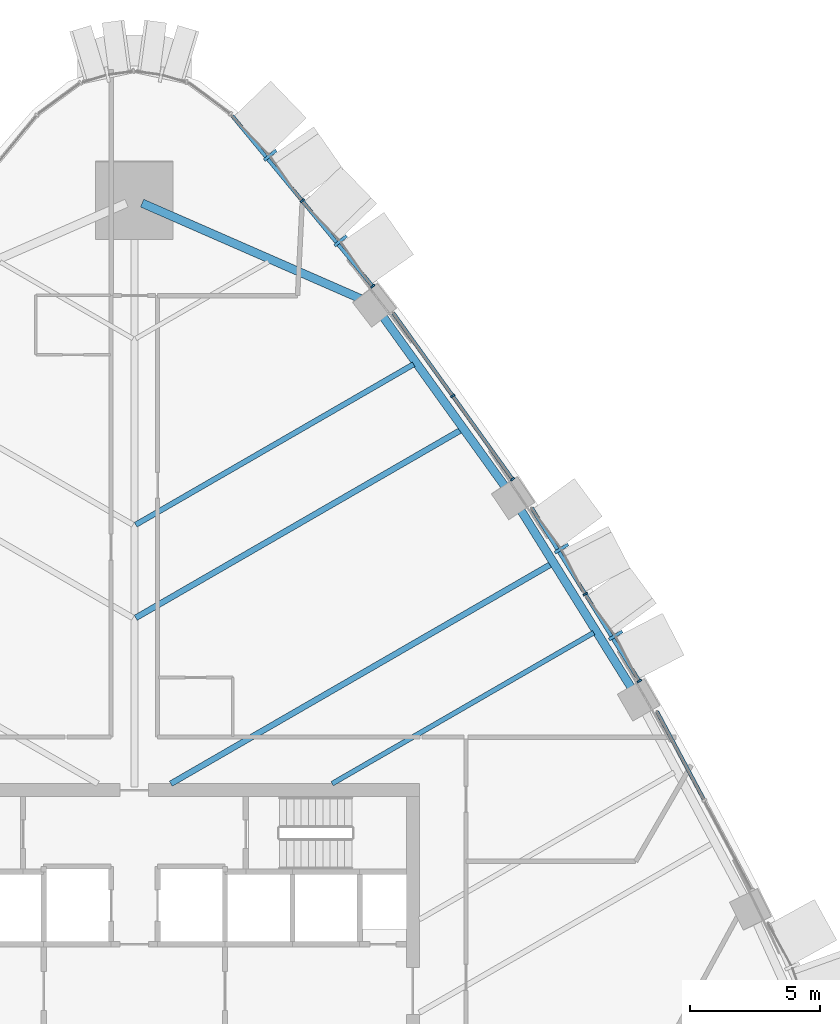
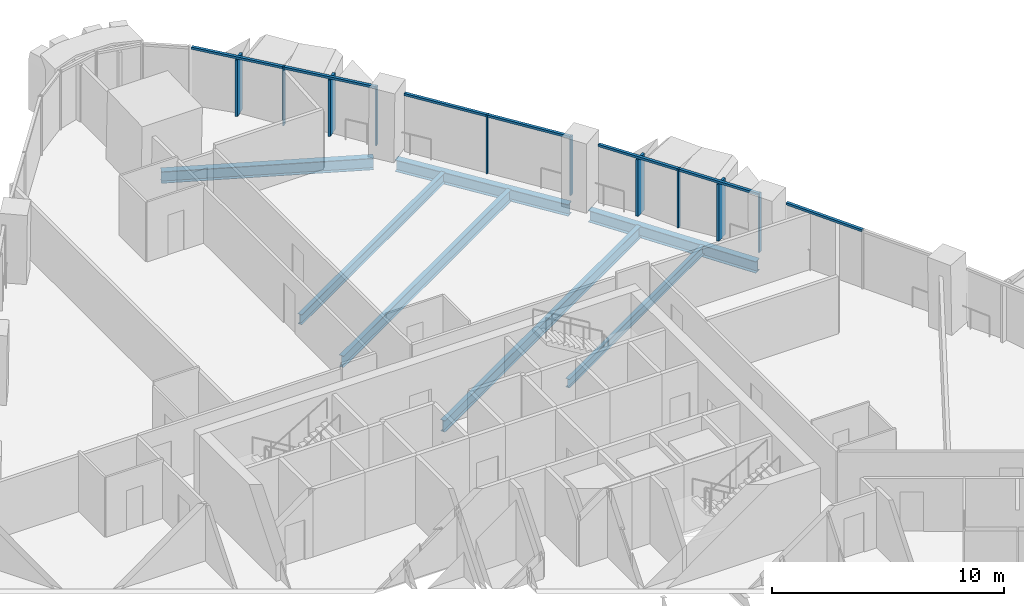
# One storey, part 7 of 22: 17 members, 7 beams, 4 elements without a shape of their own.
"""IFC4 building model written with IfcOpenShell, lengths in metres."""

import ifcopenshell
import ifcopenshell.guid

model = None  # the IFC model being written
_history = None  # IfcOwnerHistory: only IFC2X3 demands one
_inside = {}  # id of a spatial element -> (the spatial element, [elements in it])
_under = {}  # id of a project, library or spatial element -> (it, [spatial elements below it])
_declared = {}  # id of a project -> (the project, [libraries it declares])
_typed = {}  # id of a type object -> (the type object, [elements of that type])
_made_of = {}  # id of a material, layer set ... -> (it, [elements and type objects made of it])


def new_model(schema):
    """Start an empty IFC model of exactly this schema.

    Asked for "IFC4X3", IfcOpenShell would pick the latest addendum, in which some entities
    have other attributes; the version numbers below select the first issue.
    IFC2X3 requires an IfcOwnerHistory on every rooted entity: one is made here for all.
    """
    global model, _history
    if schema == "IFC4X3":
        model = ifcopenshell.file(schema_version=(4, 3, 0, 0))
    else:
        model = ifcopenshell.file(schema=schema)
    _inside.clear()
    _under.clear()
    _declared.clear()
    _typed.clear()
    _made_of.clear()
    _history = None
    if model.schema == "IFC2X3":
        org = make("IfcOrganization", Name="unknown")
        user = make(
            "IfcPersonAndOrganization",
            ThePerson=make("IfcPerson", FamilyName="unknown"),
            TheOrganization=org,
        )
        app = make(
            "IfcApplication",
            ApplicationDeveloper=org,
            Version="unknown",
            ApplicationFullName="unknown",
            ApplicationIdentifier="unknown",
        )
        _history = make(
            "IfcOwnerHistory",
            OwningUser=user,
            OwningApplication=app,
            ChangeAction="ADDED",
            CreationDate=0,
        )
    return model


def make(cls, **values):
    """One entity of the class cls with the attributes given. An attribute that is None is left unset."""
    return model.create_entity(
        cls, **{name: value for name, value in values.items() if value is not None}
    )


def rooted(cls, **values):
    """An entity with a GlobalId (a new one), such as an element, a storey or a relation."""
    return make(cls, GlobalId=ifcopenshell.guid.new(), OwnerHistory=_history, **values)


def si_unit(unit_type, name, prefix=None):
    """IfcSIUnit, for example si_unit("LENGTHUNIT", "METRE", prefix="MILLI")."""
    return make("IfcSIUnit", UnitType=unit_type, Prefix=prefix, Name=name)


def assignment(units):
    """IfcUnitAssignment: the units of a project."""
    return None if units is None else make("IfcUnitAssignment", Units=units)


def point(xyz):
    """IfcCartesianPoint."""
    return None if xyz is None else make("IfcCartesianPoint", Coordinates=xyz)


def direction(xyz):
    """IfcDirection."""
    return None if xyz is None else make("IfcDirection", DirectionRatios=xyz)


def frame(location, z_axis=None, x_axis=None):
    """IfcAxis2Placement3D, a coordinate frame: its origin and axes. An axis left out is left unset."""
    return make(
        "IfcAxis2Placement3D",
        Location=point(location),
        Axis=direction(z_axis),
        RefDirection=direction(x_axis),
    )


def frame_2d(location, x_axis=None):
    """IfcAxis2Placement2D, a coordinate frame in the plane: its origin and x axis."""
    return make(
        "IfcAxis2Placement2D", Location=point(location), RefDirection=direction(x_axis)
    )


def origin():
    """The frame at (0, 0, 0) with its axes left unset."""
    return frame((0.0, 0.0, 0.0))


def origin_2d():
    """The frame at (0, 0) in the plane with its x axis left unset."""
    return frame_2d((0.0, 0.0))


def place(relative_to, where):
    """IfcLocalPlacement: puts the frame where relative to a parent placement (None: the world)."""
    return make(
        "IfcLocalPlacement", PlacementRelTo=relative_to, RelativePlacement=where
    )


def context(
    kind, dimensions, precision=None, world=None, true_north=None, identifier=None
):
    """IfcGeometricRepresentationContext, for example the 3D "Model" context."""
    return make(
        "IfcGeometricRepresentationContext",
        ContextIdentifier=identifier,
        ContextType=kind,
        CoordinateSpaceDimension=dimensions,
        Precision=precision,
        WorldCoordinateSystem=world,
        TrueNorth=true_north,
    )


def subcontext(parent, identifier, kind, view, scale=None):
    """IfcGeometricRepresentationSubContext, for example "Body" below "Model"."""
    return make(
        "IfcGeometricRepresentationSubContext",
        ContextIdentifier=identifier,
        ContextType=kind,
        ParentContext=parent,
        TargetScale=scale,
        TargetView=view,
    )


def project(units=None, contexts=None):
    """IfcProject with its units and contexts."""
    return rooted(
        "IfcProject",
        Name="project",
        RepresentationContexts=contexts,
        UnitsInContext=assignment(units),
    )


def spatial(cls, under=None, at=None, **own):
    """A site, building, storey or space (cls), placed at a placement, below another one or the project."""
    s = rooted(cls, ObjectPlacement=at, **own)
    if under is not None:
        _under.setdefault(under.id(), (under, []))[1].append(s)
    return s


def profile(cls, at=None, kind="AREA", **sizes):
    """A parametric profile (cls). Its sizes go by their IFC names, for example OverallWidth=200.0."""
    return make(cls, ProfileType=kind, Position=at, **sizes)


def rectangle(**sizes):
    """IfcRectangleProfileDef."""
    return profile("IfcRectangleProfileDef", **sizes)


def i_section(**sizes):
    """IfcIShapeProfileDef."""
    return profile("IfcIShapeProfileDef", **sizes)


def extrude(swept, where, along, depth):
    """IfcExtrudedAreaSolid: the profile swept, set in the frame where, extruded along a direction by depth."""
    return make(
        "IfcExtrudedAreaSolid",
        SweptArea=swept,
        Position=where,
        ExtrudedDirection=direction(along),
        Depth=depth,
    )


def shape(context_of_items, identifier, shape_type, items):
    """IfcShapeRepresentation: the items that make up one representation, for example the "Body"."""
    return make(
        "IfcShapeRepresentation",
        ContextOfItems=context_of_items,
        RepresentationIdentifier=identifier,
        RepresentationType=shape_type,
        Items=items,
    )


def material(Name=None, Category=None):
    """IfcMaterial."""
    return make("IfcMaterial", Name=Name, Category=Category)


def layer(
    of_material, thickness, ventilated=None, Name=None, Category=None, Priority=None
):
    """IfcMaterialLayer: one layer of a wall or slab, of a material (None: an air gap)."""
    return make(
        "IfcMaterialLayer",
        Material=of_material,
        LayerThickness=thickness,
        IsVentilated=ventilated,
        Name=Name,
        Category=Category,
        Priority=Priority,
    )


def layer_set(layers, Name=None):
    """IfcMaterialLayerSet."""
    return make("IfcMaterialLayerSet", MaterialLayers=layers, LayerSetName=Name)


def material_profile(
    of_material, cross_section, Name=None, Category=None, Priority=None
):
    """IfcMaterialProfile: a cross section and its material."""
    return make(
        "IfcMaterialProfile",
        Name=Name,
        Material=of_material,
        Profile=cross_section,
        Priority=Priority,
        Category=Category,
    )


def profile_set(profiles, Name=None, composite=None):
    """IfcMaterialProfileSet."""
    return make(
        "IfcMaterialProfileSet",
        Name=Name,
        MaterialProfiles=profiles,
        CompositeProfile=composite,
    )


def made_of(thing, what):
    """Note that an element or type object is made of a material, layer set ...; save() writes the relation."""
    if what is not None:
        _made_of.setdefault(what.id(), (what, []))[1].append(thing)
    return thing


def type_object(cls, material=None, **own):
    """A type object (cls), such as IfcWallType, which elements share."""
    return made_of(rooted(cls, **own), material)


def element(
    cls,
    number,
    at=None,
    inside=None,
    cuts=None,
    type_object=None,
    material=None,
    context=None,
    identifier="Body",
    shape_type=None,
    held_by="IfcProductDefinitionShape",
    body=None,
    shapes=None,
    **own,
):
    """One element of the class cls, such as IfcWall. Its Tag is "e" and its number.

    at: its placement. inside: the storey or other place that contains it. cuts: it is an
    opening in that element (IfcRelVoidsElement). A single representation is given by context,
    identifier, shape_type and body (its items); several are given by shapes. held_by: the class
    of the entity that holds the representations. save() writes the other relations.
    """
    e = rooted(cls, Tag="e%d" % number, ObjectPlacement=at, **own)
    if body is not None:
        shapes = [shape(context, identifier, shape_type, body)]
    if shapes is not None:
        e.Representation = make(held_by, Representations=shapes)
    if inside is not None:
        _inside.setdefault(inside.id(), (inside, []))[1].append(e)
    if cuts is not None:
        rooted(
            "IfcRelVoidsElement", RelatingBuildingElement=cuts, RelatedOpeningElement=e
        )
    if type_object is not None:
        _typed.setdefault(type_object.id(), (type_object, []))[1].append(e)
    return made_of(e, material)


def aggregate(whole, parts):
    """IfcRelAggregates: a whole, such as a stair, and the parts it consists of."""
    return rooted("IfcRelAggregates", RelatingObject=whole, RelatedObjects=parts)


def save(model, path):
    """Write the relations noted so far, then the file.

    IfcRelAggregates (storeys below a building ...), IfcRelContainedInSpatialStructure (elements
    in a storey), IfcRelDefinesByType, IfcRelAssociatesMaterial and IfcRelDeclares: one each for
    every whole, place, type object, material and project.
    """
    for whole, parts in _under.values():
        aggregate(whole, parts)
    for where, things in _inside.values():
        rooted(
            "IfcRelContainedInSpatialStructure",
            RelatedElements=things,
            RelatingStructure=where,
        )
    for kind, things in _typed.values():
        rooted("IfcRelDefinesByType", RelatedObjects=things, RelatingType=kind)
    for what, things in _made_of.values():
        rooted("IfcRelAssociatesMaterial", RelatedObjects=things, RelatingMaterial=what)
    for by, libraries in _declared.values():
        rooted("IfcRelDeclares", RelatingContext=by, RelatedDefinitions=libraries)
    model.write(path)


model = new_model("IFC4")

# Units and contexts
model_context = context("Model", 3, precision=1e-05, world=origin(), true_north=direction((0.0, 1.0)))
body_context = subcontext(model_context, "Body", "Model", "MODEL_VIEW")
ifc_project = project(units=[si_unit("LENGTHUNIT", "METRE"), si_unit("AREAUNIT", "SQUARE_METRE"), si_unit("VOLUMEUNIT", "CUBIC_METRE"), si_unit("PLANEANGLEUNIT", "RADIAN"), si_unit("MASSUNIT", "GRAM", prefix="KILO")], contexts=[model_context])

# Site, building, storey
site_placement = place(None, origin())
site = spatial("IfcSite", under=ifc_project, at=site_placement, CompositionType="ELEMENT")
building_placement = place(site_placement, origin())
building = spatial("IfcBuilding", under=site, at=building_placement, Name="Sierra Prisma Convention Tower", CompositionType="ELEMENT")
storey_placement = place(building_placement, frame((0.0, 0.0, 73.89990234375)))
storey = spatial("IfcBuildingStorey", under=building, at=storey_placement, Name="L14", CompositionType="ELEMENT", Elevation=73.89990234375)

# Curtain wall, members
ifc_material_1 = material(Name="Aluminium and glass curtain wall", Category="aluminium")
ifc_layer_1 = layer(ifc_material_1, 0.179931640625)
ifc_layer_set_1 = layer_set([ifc_layer_1], Name="CW-2 Faceted crystal curtain wall")
curtain_wall_type_1 = type_object("IfcCurtainWallType", Name="CW-2 Faceted crystal curtain wall", PredefinedType="NOTDEFINED", material=ifc_layer_set_1)
curtain_wall_1_placement = place(storey_placement, origin())
curtain_wall_1 = element("IfcCurtainWall", 1, at=curtain_wall_1_placement, inside=storey, type_object=curtain_wall_type_1, Name="CW-2 NE4 L14", PredefinedType="NOTDEFINED")
ifc_material_2 = material(Name="Aluminium 6063-T6 bronze anodised", Category="aluminium")
ifc_material_profile_1 = material_profile(ifc_material_2, rectangle(XDim=0.1201171875, YDim=0.60009765625, at=origin_2d()), Name="ALU RIDGE BLADE 120x600")
ifc_profile_set_1 = profile_set([ifc_material_profile_1], Name="Aluminium 6063-T6 bronze anodised")
member_type_1 = type_object("IfcMemberType", Name="CW hip bronze", PredefinedType="MULLION", material=ifc_profile_set_1)
member_1_placement = place(storey_placement, frame((18.578369140625, 13.721435546875, 0.0), z_axis=(0.0, 0.0, 1.0), x_axis=(-0.528011474479, 0.849237235888, 0.0)))
member_1 = element("IfcMember", 2, at=member_1_placement, type_object=member_type_1, Name="CW-2 ridge NE4.1", PredefinedType="MULLION", context=body_context, shape_type="SweptSolid", body=[
    extrude(rectangle(XDim=0.1201171875, YDim=0.60009765625, at=origin_2d()), origin(), (0.0, 0.0, 1.0), 2.97998046875),
])
member_2_placement = place(storey_placement, frame((16.491455078125, 17.077880859375, 0.0), z_axis=(0.0, 0.0, 1.0), x_axis=(-0.528011474479, 0.849237235888, 0.0)))
member_2 = element("IfcMember", 3, at=member_2_placement, type_object=member_type_1, Name="CW-2 ridge NE4.2", PredefinedType="MULLION", context=body_context, shape_type="SweptSolid", body=[
    extrude(rectangle(XDim=0.1201171875, YDim=0.60009765625, at=origin_2d()), origin(), (0.0, 0.0, 1.0), 2.97998046875),
])

curtain_wall_2_placement = place(storey_placement, origin())
curtain_wall_2 = element("IfcCurtainWall", 4, at=curtain_wall_2_placement, inside=storey, type_object=curtain_wall_type_1, Name="CW-2 NE6 L14", PredefinedType="NOTDEFINED")
member_3_placement = place(storey_placement, frame((7.9638671875, 28.95947265625, 0.0), z_axis=(0.0, 0.0, 1.0), x_axis=(-0.635767597496, 0.771880536077, 0.0)))
member_3 = element("IfcMember", 5, at=member_3_placement, type_object=member_type_1, Name="CW-2 ridge NE6.1", PredefinedType="MULLION", context=body_context, shape_type="SweptSolid", body=[
    extrude(rectangle(XDim=0.1201171875, YDim=0.60009765625, at=origin_2d()), origin(), (0.0, 0.0, 1.0), 2.97998046875),
])
member_4_placement = place(storey_placement, frame((5.2451171875, 32.26025390625, 0.0), z_axis=(0.0, 0.0, 1.0), x_axis=(-0.635767597496, 0.771880536077, 0.0)))
member_4 = element("IfcMember", 6, at=member_4_placement, type_object=member_type_1, Name="CW-2 ridge NE6.2", PredefinedType="MULLION", context=body_context, shape_type="SweptSolid", body=[
    extrude(rectangle(XDim=0.1201171875, YDim=0.60009765625, at=origin_2d()), origin(), (0.0, 0.0, 1.0), 2.97998046875),
])

# Member
ifc_material_3 = material(Name="Aluminium 6063-T6 bronze anodised", Category="aluminium")
ifc_material_profile_2 = material_profile(ifc_material_3, rectangle(XDim=0.179931640625, YDim=0.070068359375, at=origin_2d()), Name="ALU MULLION 70x180")
ifc_profile_set_2 = profile_set([ifc_material_profile_2], Name="Aluminium 6063-T6 bronze anodised")
member_type_2 = type_object("IfcMemberType", Name="CW mullion bronze", PredefinedType="MULLION", material=ifc_profile_set_2)
member_5_placement = place(storey_placement, frame((19.491943359375, 11.96240234375, 0.0), z_axis=(0.0, 0.0, 1.0), x_axis=(-0.849237235888, -0.528011474479, 0.0)))
member_5 = element("IfcMember", 7, at=member_5_placement, type_object=member_type_2, Name="CW-1 mullion NE4.1", PredefinedType="MULLION", context=body_context, shape_type="SweptSolid", body=[
    extrude(rectangle(XDim=0.179931640625, YDim=0.070068359375, at=origin_2d()), origin(), (0.0, 0.0, 1.0), 3.10009765625),
])

member_6_placement = place(storey_placement, frame((17.4052734375, 15.31884765625, 0.0), z_axis=(0.0, 0.0, 1.0), x_axis=(-0.849237235888, -0.528011474479, 0.0)))
member_6 = element("IfcMember", 8, at=member_6_placement, type_object=member_type_2, Name="CW-1 mullion NE4.2", PredefinedType="MULLION", context=body_context, shape_type="SweptSolid", body=[
    extrude(rectangle(XDim=0.179931640625, YDim=0.070068359375, at=origin_2d()), origin(), (0.0, 0.0, 1.0), 3.10009765625),
])

# Curtain wall, members
ifc_material_4 = material(Name="Aluminium and glass curtain wall", Category="aluminium")
ifc_layer_2 = layer(ifc_material_4, 0.179931640625)
ifc_layer_set_2 = layer_set([ifc_layer_2], Name="CW-1 Plain shaft curtain wall")
curtain_wall_type_2 = type_object("IfcCurtainWallType", Name="CW-1 Plain shaft curtain wall", PredefinedType="NOTDEFINED", material=ifc_layer_set_2)
curtain_wall_3_placement = place(storey_placement, origin())
curtain_wall_3 = element("IfcCurtainWall", 9, at=curtain_wall_3_placement, inside=storey, type_object=curtain_wall_type_2, Name="CW-1 NE5 L14", PredefinedType="NOTDEFINED")
member_7_placement = place(storey_placement, frame((14.59619140625, 19.753173828125, 0.0), z_axis=(0.0, 0.0, 1.0), x_axis=(-0.812347556873, -0.583173599233, 0.0)))
member_7 = element("IfcMember", 10, at=member_7_placement, type_object=member_type_2, Name="CW-1 mullion NE5.1", PredefinedType="MULLION", context=body_context, shape_type="SweptSolid", body=[
    extrude(rectangle(XDim=0.179931640625, YDim=0.070068359375, at=origin_2d()), origin(), (0.0, 0.0, 1.0), 3.10009765625),
])
member_8_placement = place(storey_placement, frame((12.284423828125, 22.973876953125, 0.0), z_axis=(0.0, 0.0, 1.0), x_axis=(-0.812347556873, -0.583173599233, 0.0)))
member_8 = element("IfcMember", 11, at=member_8_placement, type_object=member_type_2, Name="CW-1 mullion NE5.2", PredefinedType="MULLION", context=body_context, shape_type="SweptSolid", body=[
    extrude(rectangle(XDim=0.179931640625, YDim=0.070068359375, at=origin_2d()), origin(), (0.0, 0.0, 1.0), 3.10009765625),
])

# Member
member_9_placement = place(storey_placement, frame((9.195556640625, 27.203857421875, 0.0), z_axis=(0.0, 0.0, 1.0), x_axis=(-0.771880536077, -0.635767597496, 0.0)))
member_9 = element("IfcMember", 12, at=member_9_placement, type_object=member_type_2, Name="CW-1 mullion NE6.1", PredefinedType="MULLION", context=body_context, shape_type="SweptSolid", body=[
    extrude(rectangle(XDim=0.179931640625, YDim=0.070068359375, at=origin_2d()), origin(), (0.0, 0.0, 1.0), 3.10009765625),
])

member_10_placement = place(storey_placement, frame((6.476806640625, 30.504638671875, 0.0), z_axis=(0.0, 0.0, 1.0), x_axis=(-0.771880536077, -0.635767597496, 0.0)))
member_10 = element("IfcMember", 13, at=member_10_placement, type_object=member_type_2, Name="CW-1 mullion NE6.2", PredefinedType="MULLION", context=body_context, shape_type="SweptSolid", body=[
    extrude(rectangle(XDim=0.179931640625, YDim=0.070068359375, at=origin_2d()), origin(), (0.0, 0.0, 1.0), 3.10009765625),
])

# Curtain wall, member
curtain_wall_4_placement = place(storey_placement, origin())
curtain_wall_4 = element("IfcCurtainWall", 14, at=curtain_wall_4_placement, inside=storey, type_object=curtain_wall_type_2, Name="CW-1 NE3 L14", PredefinedType="NOTDEFINED")
ifc_material_5 = material(Name="Aluminium 6063-T6 bronze anodised", Category="aluminium")
ifc_material_profile_3 = material_profile(ifc_material_5, rectangle(XDim=0.139892578125, YDim=0.1201171875, at=origin_2d()), Name="ALU TRANSOM 120x140")
ifc_profile_set_3 = profile_set([ifc_material_profile_3], Name="Aluminium 6063-T6 bronze anodised")
member_type_3 = type_object("IfcMemberType", Name="CW transom bronze", PredefinedType="USERDEFINED", material=ifc_profile_set_3)
member_11_placement = place(storey_placement, frame((21.983642578125, 7.386962890625, 3.0400390625), z_axis=(-0.470525757571, 0.882386259788, 0.0), x_axis=(-0.882386259788, -0.470525757571, 0.0)))
member_11 = element("IfcMember", 15, at=member_11_placement, type_object=member_type_3, Name="CW-1 transom NE3.2", ObjectType="TRANSOM", PredefinedType="USERDEFINED", context=body_context, shape_type="SweptSolid", body=[
    extrude(rectangle(XDim=0.139892578125, YDim=0.1201171875, at=origin_2d()), origin(), (0.0, 0.0, 1.0), 3.853515625),
])
aggregate(curtain_wall_4, [member_11])

# Member
member_12_placement = place(storey_placement, frame((19.4736328125, 11.9921875, 3.0400390625), z_axis=(-0.528053029307, 0.849211397851, 0.0), x_axis=(-0.849211397851, -0.528053029307, 0.0)))
member_12 = element("IfcMember", 16, at=member_12_placement, type_object=member_type_3, Name="CW-1 transom NE4.1", ObjectType="TRANSOM", PredefinedType="USERDEFINED", context=body_context, shape_type="SweptSolid", body=[
    extrude(rectangle(XDim=0.139892578125, YDim=0.1201171875, at=origin_2d()), origin(), (0.0, 0.0, 1.0), 3.88232421875),
])

member_13_placement = place(storey_placement, frame((17.38671875, 15.3486328125, 3.0400390625), z_axis=(-0.528007676241, 0.849239597423, 0.0), x_axis=(-0.849239597423, -0.528007676241, 0.0)))
member_13 = element("IfcMember", 17, at=member_13_placement, type_object=member_type_3, Name="CW-1 transom NE4.2", ObjectType="TRANSOM", PredefinedType="USERDEFINED", context=body_context, shape_type="SweptSolid", body=[
    extrude(rectangle(XDim=0.139892578125, YDim=0.1201171875, at=origin_2d()), origin(), (0.0, 0.0, 1.0), 3.882080078125),
])

aggregate(curtain_wall_1, [member_5, member_6, member_12, member_1, member_13, member_2])

member_14_placement = place(storey_placement, frame((14.575927734375, 19.78173828125, 3.0400390625), z_axis=(-0.58319935825, 0.812329064195, 0.0), x_axis=(-0.812329064195, -0.58319935825, 0.0)))
member_14 = element("IfcMember", 18, at=member_14_placement, type_object=member_type_3, Name="CW-1 transom NE5.1", ObjectType="TRANSOM", PredefinedType="USERDEFINED", context=body_context, shape_type="SweptSolid", body=[
    extrude(rectangle(XDim=0.139892578125, YDim=0.1201171875, at=origin_2d()), origin(), (0.0, 0.0, 1.0), 3.89453125),
])

member_15_placement = place(storey_placement, frame((12.263916015625, 23.002197265625, 3.0400390625), z_axis=(-0.58316966029, 0.812350384574, 0.0), x_axis=(-0.812350384574, -0.58316966029, 0.0)))
member_15 = element("IfcMember", 19, at=member_15_placement, type_object=member_type_3, Name="CW-1 transom NE5.2", ObjectType="TRANSOM", PredefinedType="USERDEFINED", context=body_context, shape_type="SweptSolid", body=[
    extrude(rectangle(XDim=0.139892578125, YDim=0.1201171875, at=origin_2d()), origin(), (0.0, 0.0, 1.0), 3.89453125),
])

aggregate(curtain_wall_3, [member_7, member_8, member_14, member_15])

member_16_placement = place(storey_placement, frame((9.173095703125, 27.230712890625, 3.0400390625), z_axis=(-0.635737769472, 0.771905103278, 0.0), x_axis=(-0.771905103278, -0.635737769472, 0.0)))
member_16 = element("IfcMember", 20, at=member_16_placement, type_object=member_type_3, Name="CW-1 transom NE6.1", ObjectType="TRANSOM", PredefinedType="USERDEFINED", context=body_context, shape_type="SweptSolid", body=[
    extrude(rectangle(XDim=0.139892578125, YDim=0.1201171875, at=origin_2d()), origin(), (0.0, 0.0, 1.0), 4.206298828125),
])

member_17_placement = place(storey_placement, frame((6.454345703125, 30.53173828125, 3.0400390625), z_axis=(-0.635766253389, 0.771881643163, 0.0), x_axis=(-0.771881643163, -0.635766253389, 0.0)))
member_17 = element("IfcMember", 21, at=member_17_placement, type_object=member_type_3, Name="CW-1 transom NE6.2", ObjectType="TRANSOM", PredefinedType="USERDEFINED", context=body_context, shape_type="SweptSolid", body=[
    extrude(rectangle(XDim=0.139892578125, YDim=0.1201171875, at=origin_2d()), origin(), (0.0, 0.0, 1.0), 4.2060546875),
])

aggregate(curtain_wall_2, [member_9, member_10, member_16, member_3, member_17, member_4])

# Beams
ifc_material_6 = material(Name="Steel ASTM A992 Gr 50", Category="steel")
ifc_material_profile_4 = material_profile(ifc_material_6, i_section(OverallWidth=0.18994140625, OverallDepth=0.45703125, WebThickness=0.009033203125, FlangeThickness=0.014404296875, at=origin_2d()), Name="W460x74")
ifc_profile_set_4 = profile_set([ifc_material_profile_4], Name="Steel ASTM A992 Gr 50")
beam_type_1 = type_object("IfcBeamType", Name="Floor joist W460x74", PredefinedType="JOIST", material=ifc_profile_set_4)
beam_1_placement = place(storey_placement, frame((17.7294921875, 13.8291015625, -0.37841796875), z_axis=(-0.866028308951, -0.49999496807, 0.0), x_axis=(0.49999496807, -0.866028308951, 0.0)))
element("IfcBeam", 22, at=beam_1_placement, inside=storey, type_object=beam_type_1, Name="Floor joist L14 NE10", PredefinedType="JOIST", context=body_context, shape_type="SweptSolid", body=[
    extrude(i_section(OverallWidth=0.18994140625, OverallDepth=0.45703125, WebThickness=0.009033203125, FlangeThickness=0.014404296875, at=origin_2d()), origin(), (0.0, 0.0, 1.0), 11.658203125),
])
ifc_material_7 = material(Name="Steel ASTM A992 Gr 50", Category="steel")
ifc_material_profile_5 = material_profile(ifc_material_7, i_section(OverallWidth=0.208984375, OverallDepth=0.532958984375, WebThickness=0.01025390625, FlangeThickness=0.015625, at=origin_2d()), Name="W530x92")
ifc_profile_set_5 = profile_set([ifc_material_profile_5], Name="Steel ASTM A992 Gr 50")
beam_type_2 = type_object("IfcBeamType", Name="Floor joist W530x92", PredefinedType="JOIST", material=ifc_profile_set_5)
beam_2_placement = place(storey_placement, frame((10.780517578125, 24.189697265625, -0.41650390625), z_axis=(-0.866023447946, -0.500003387596, 0.0), x_axis=(0.500003387596, -0.866023447946, 0.0)))
element("IfcBeam", 23, at=beam_2_placement, inside=storey, type_object=beam_type_2, Name="Floor joist L14 NE14", PredefinedType="JOIST", context=body_context, shape_type="SweptSolid", body=[
    extrude(i_section(OverallWidth=0.208984375, OverallDepth=0.532958984375, WebThickness=0.01025390625, FlangeThickness=0.015625, at=origin_2d()), origin(), (0.0, 0.0, 1.0), 12.38720703125),
])
ifc_material_8 = material(Name="Steel ASTM A992 Gr 50", Category="steel")
ifc_material_profile_6 = material_profile(ifc_material_8, i_section(OverallWidth=0.22802734375, OverallDepth=0.60302734375, WebThickness=0.010498046875, FlangeThickness=0.014892578125, at=origin_2d()), Name="W610x101")
ifc_profile_set_6 = profile_set([ifc_material_profile_6], Name="Steel ASTM A992 Gr 50")
beam_type_3 = type_object("IfcBeamType", Name="Floor joist W610x101", PredefinedType="JOIST", material=ifc_profile_set_6)
beam_3_placement = place(storey_placement, frame((16.084228515625, 16.472412109375, -0.451416015625), z_axis=(-0.866027712004, -0.499996002024, 0.0), x_axis=(0.499996002024, -0.866027712004, 0.0)))
element("IfcBeam", 24, at=beam_3_placement, inside=storey, type_object=beam_type_3, Name="Floor joist L14 NE11", PredefinedType="JOIST", context=body_context, shape_type="SweptSolid", body=[
    extrude(i_section(OverallWidth=0.22802734375, OverallDepth=0.60302734375, WebThickness=0.010498046875, FlangeThickness=0.014892578125, at=origin_2d()), origin(), (0.0, 0.0, 1.0), 16.945068359375),
])
beam_4_placement = place(storey_placement, frame((12.604736328125, 21.64990234375, -0.451416015625), z_axis=(-0.866023449274, -0.500003385295, 0.0), x_axis=(0.500003385295, -0.866023449274, 0.0)))
element("IfcBeam", 25, at=beam_4_placement, inside=storey, type_object=beam_type_3, Name="Floor joist L14 NE13", PredefinedType="JOIST", context=body_context, shape_type="SweptSolid", body=[
    extrude(i_section(OverallWidth=0.22802734375, OverallDepth=0.60302734375, WebThickness=0.010498046875, FlangeThickness=0.014892578125, at=origin_2d()), origin(), (0.0, 0.0, 1.0), 14.49365234375),
])
ifc_material_9 = material(Name="Steel ASTM A992 Gr 50", Category="steel")
ifc_material_profile_7 = material_profile(ifc_material_9, i_section(OverallWidth=0.324951171875, OverallDepth=0.615966796875, WebThickness=0.013916015625, FlangeThickness=0.021484375, at=origin_2d()), Name="W610x174")
ifc_profile_set_7 = profile_set([ifc_material_profile_7], Name="Steel ASTM A992 Gr 50")
beam_type_4 = type_object("IfcBeamType", Name="Spandrel beam W610x174", PredefinedType="BEAM", material=ifc_profile_set_7)
for number, where, z_axis, x_axis, name in (
    (26, (19.21826171875, 11.64990234375, -0.4580078125), (-0.528389954534, 0.849001799732, 0.0), (-0.849001799732, -0.528389954534, 0.0), "Spandrel L14-10"),
    (27, (14.34326171875, 19.4228515625, -0.4580078125), (-0.583397830375, 0.812186537387, 0.0), (-0.812186537387, -0.583397830375, 0.0), "Spandrel L14-11"),
):
    element("IfcBeam", number, at=place(storey_placement, frame(where, z_axis=z_axis, x_axis=x_axis)), inside=storey, type_object=beam_type_4, Name=name, PredefinedType="BEAM", context=body_context, shape_type="SweptSolid", body=[
        extrude(i_section(OverallWidth=0.324951171875, OverallDepth=0.615966796875, WebThickness=0.013916015625, FlangeThickness=0.021484375, at=origin_2d()), origin(), (0.0, 0.0, 1.0), 8.215576171875),
    ])
beam_5_placement = place(storey_placement, frame((8.7529296875, 26.7119140625, -0.4580078125), z_axis=(-0.916153083768, 0.400828550758, 0.0), x_axis=(-0.400828550758, -0.916153083768, 0.0)))
element("IfcBeam", 28, at=beam_5_placement, inside=storey, type_object=beam_type_4, Name="Spandrel L14-12", PredefinedType="BEAM", context=body_context, shape_type="SweptSolid", body=[
    extrude(i_section(OverallWidth=0.324951171875, OverallDepth=0.615966796875, WebThickness=0.013916015625, FlangeThickness=0.021484375, at=origin_2d()), origin(), (0.0, 0.0, 1.0), 9.2265625),
])

save(model, "model.ifc")
